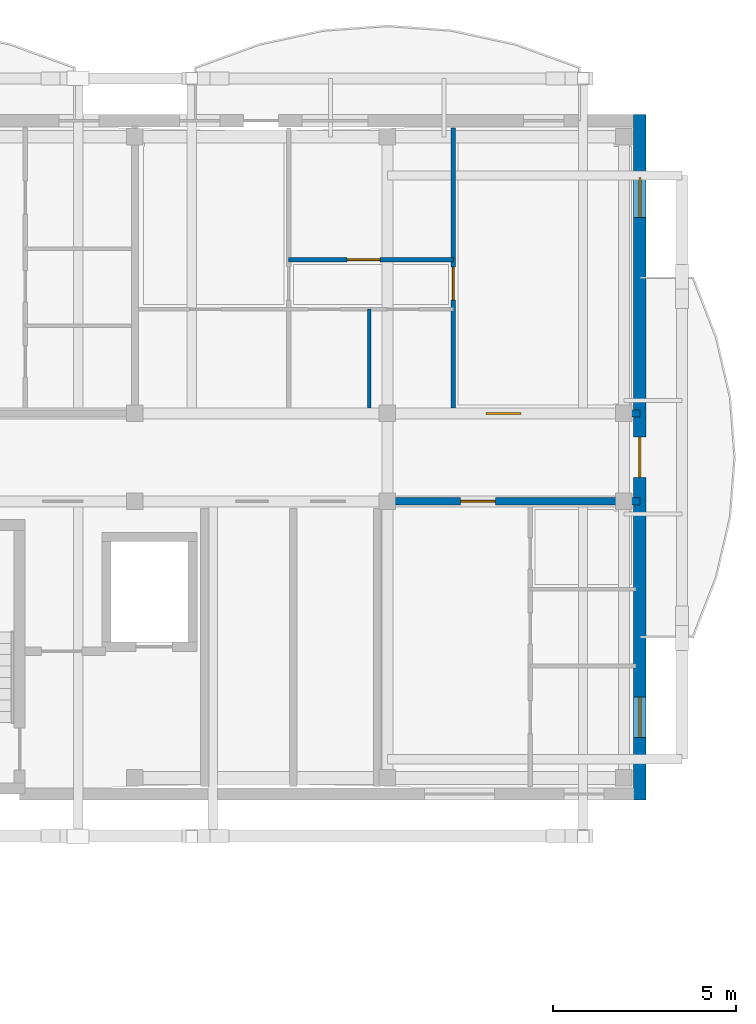
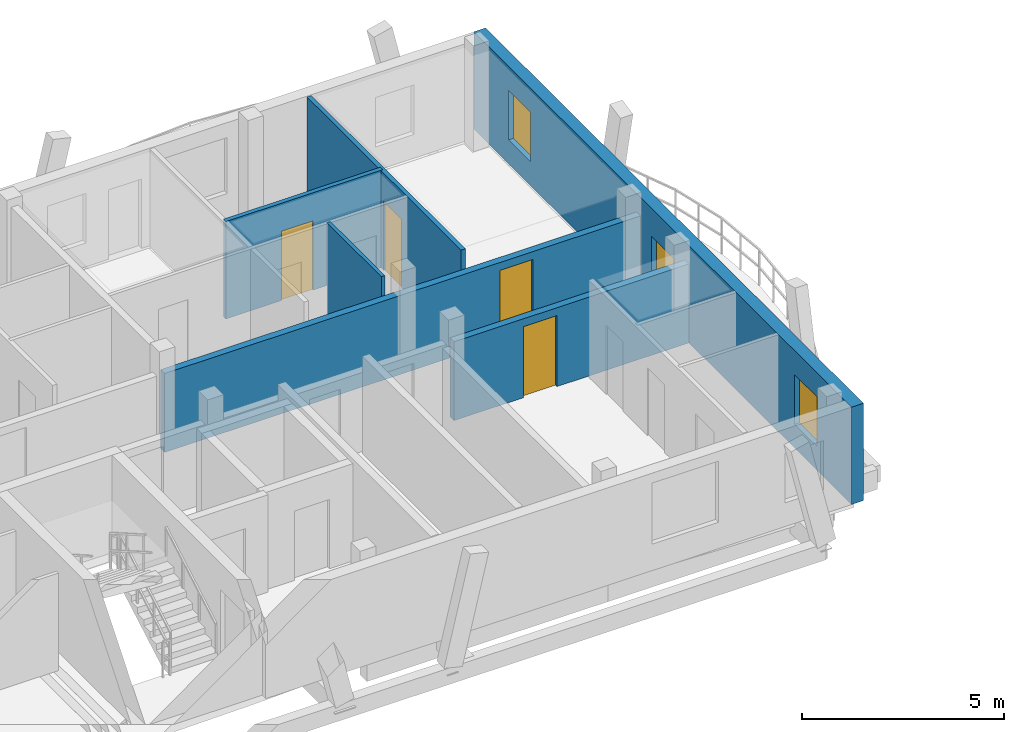
# One storey, part 31 of 42: 6 walls, 5 doors, 2 windows, 7 openings.
"""IFC4 building model written with IfcOpenShell, lengths in metres."""

import ifcopenshell
import ifcopenshell.guid

model = None  # the IFC model being written
_history = None  # IfcOwnerHistory: only IFC2X3 demands one
_inside = {}  # id of a spatial element -> (the spatial element, [elements in it])
_under = {}  # id of a project, library or spatial element -> (it, [spatial elements below it])
_declared = {}  # id of a project -> (the project, [libraries it declares])
_typed = {}  # id of a type object -> (the type object, [elements of that type])
_made_of = {}  # id of a material, layer set ... -> (it, [elements and type objects made of it])


def new_model(schema):
    """Start an empty IFC model of exactly this schema.

    Asked for "IFC4X3", IfcOpenShell would pick the latest addendum, in which some entities
    have other attributes; the version numbers below select the first issue.
    IFC2X3 requires an IfcOwnerHistory on every rooted entity: one is made here for all.
    """
    global model, _history
    if schema == "IFC4X3":
        model = ifcopenshell.file(schema_version=(4, 3, 0, 0))
    else:
        model = ifcopenshell.file(schema=schema)
    _inside.clear()
    _under.clear()
    _declared.clear()
    _typed.clear()
    _made_of.clear()
    _history = None
    if model.schema == "IFC2X3":
        org = make("IfcOrganization", Name="unknown")
        user = make(
            "IfcPersonAndOrganization",
            ThePerson=make("IfcPerson", FamilyName="unknown"),
            TheOrganization=org,
        )
        app = make(
            "IfcApplication",
            ApplicationDeveloper=org,
            Version="unknown",
            ApplicationFullName="unknown",
            ApplicationIdentifier="unknown",
        )
        _history = make(
            "IfcOwnerHistory",
            OwningUser=user,
            OwningApplication=app,
            ChangeAction="ADDED",
            CreationDate=0,
        )
    return model


def make(cls, **values):
    """One entity of the class cls with the attributes given. An attribute that is None is left unset."""
    return model.create_entity(
        cls, **{name: value for name, value in values.items() if value is not None}
    )


def rooted(cls, **values):
    """An entity with a GlobalId (a new one), such as an element, a storey or a relation."""
    return make(cls, GlobalId=ifcopenshell.guid.new(), OwnerHistory=_history, **values)


def si_unit(unit_type, name, prefix=None):
    """IfcSIUnit, for example si_unit("LENGTHUNIT", "METRE", prefix="MILLI")."""
    return make("IfcSIUnit", UnitType=unit_type, Prefix=prefix, Name=name)


def assignment(units):
    """IfcUnitAssignment: the units of a project."""
    return None if units is None else make("IfcUnitAssignment", Units=units)


def point(xyz):
    """IfcCartesianPoint."""
    return None if xyz is None else make("IfcCartesianPoint", Coordinates=xyz)


def direction(xyz):
    """IfcDirection."""
    return None if xyz is None else make("IfcDirection", DirectionRatios=xyz)


def frame(location, z_axis=None, x_axis=None):
    """IfcAxis2Placement3D, a coordinate frame: its origin and axes. An axis left out is left unset."""
    return make(
        "IfcAxis2Placement3D",
        Location=point(location),
        Axis=direction(z_axis),
        RefDirection=direction(x_axis),
    )


def frame_2d(location, x_axis=None):
    """IfcAxis2Placement2D, a coordinate frame in the plane: its origin and x axis."""
    return make(
        "IfcAxis2Placement2D", Location=point(location), RefDirection=direction(x_axis)
    )


def origin():
    """The frame at (0, 0, 0) with its axes left unset."""
    return frame((0.0, 0.0, 0.0))


def origin_with_axes():
    """The frame at (0, 0, 0) with the z axis (0, 0, 1) and the x axis (1, 0, 0) written out."""
    return frame((0.0, 0.0, 0.0), z_axis=(0.0, 0.0, 1.0), x_axis=(1.0, 0.0, 0.0))


def place(relative_to, where):
    """IfcLocalPlacement: puts the frame where relative to a parent placement (None: the world)."""
    return make(
        "IfcLocalPlacement", PlacementRelTo=relative_to, RelativePlacement=where
    )


def context(
    kind, dimensions, precision=None, world=None, true_north=None, identifier=None
):
    """IfcGeometricRepresentationContext, for example the 3D "Model" context."""
    return make(
        "IfcGeometricRepresentationContext",
        ContextIdentifier=identifier,
        ContextType=kind,
        CoordinateSpaceDimension=dimensions,
        Precision=precision,
        WorldCoordinateSystem=world,
        TrueNorth=true_north,
    )


def subcontext(parent, identifier, kind, view, scale=None):
    """IfcGeometricRepresentationSubContext, for example "Body" below "Model"."""
    return make(
        "IfcGeometricRepresentationSubContext",
        ContextIdentifier=identifier,
        ContextType=kind,
        ParentContext=parent,
        TargetScale=scale,
        TargetView=view,
    )


def project(units=None, contexts=None):
    """IfcProject with its units and contexts."""
    return rooted(
        "IfcProject",
        Name="project",
        RepresentationContexts=contexts,
        UnitsInContext=assignment(units),
    )


def spatial(cls, under=None, at=None, **own):
    """A site, building, storey or space (cls), placed at a placement, below another one or the project."""
    s = rooted(cls, ObjectPlacement=at, **own)
    if under is not None:
        _under.setdefault(under.id(), (under, []))[1].append(s)
    return s


def profile(cls, at=None, kind="AREA", **sizes):
    """A parametric profile (cls). Its sizes go by their IFC names, for example OverallWidth=200.0."""
    return make(cls, ProfileType=kind, Position=at, **sizes)


def rectangle(**sizes):
    """IfcRectangleProfileDef."""
    return profile("IfcRectangleProfileDef", **sizes)


def extrude(swept, where, along, depth):
    """IfcExtrudedAreaSolid: the profile swept, set in the frame where, extruded along a direction by depth."""
    return make(
        "IfcExtrudedAreaSolid",
        SweptArea=swept,
        Position=where,
        ExtrudedDirection=direction(along),
        Depth=depth,
    )


def shape(context_of_items, identifier, shape_type, items):
    """IfcShapeRepresentation: the items that make up one representation, for example the "Body"."""
    return make(
        "IfcShapeRepresentation",
        ContextOfItems=context_of_items,
        RepresentationIdentifier=identifier,
        RepresentationType=shape_type,
        Items=items,
    )


def material(Name=None, Category=None):
    """IfcMaterial."""
    return make("IfcMaterial", Name=Name, Category=Category)


def layer(
    of_material, thickness, ventilated=None, Name=None, Category=None, Priority=None
):
    """IfcMaterialLayer: one layer of a wall or slab, of a material (None: an air gap)."""
    return make(
        "IfcMaterialLayer",
        Material=of_material,
        LayerThickness=thickness,
        IsVentilated=ventilated,
        Name=Name,
        Category=Category,
        Priority=Priority,
    )


def layer_set(layers, Name=None):
    """IfcMaterialLayerSet."""
    return make("IfcMaterialLayerSet", MaterialLayers=layers, LayerSetName=Name)


def made_of(thing, what):
    """Note that an element or type object is made of a material, layer set ...; save() writes the relation."""
    if what is not None:
        _made_of.setdefault(what.id(), (what, []))[1].append(thing)
    return thing


def type_object(cls, material=None, **own):
    """A type object (cls), such as IfcWallType, which elements share."""
    return made_of(rooted(cls, **own), material)


def element(
    cls,
    number,
    at=None,
    inside=None,
    cuts=None,
    type_object=None,
    material=None,
    context=None,
    identifier="Body",
    shape_type=None,
    held_by="IfcProductDefinitionShape",
    body=None,
    shapes=None,
    **own,
):
    """One element of the class cls, such as IfcWall. Its Tag is "e" and its number.

    at: its placement. inside: the storey or other place that contains it. cuts: it is an
    opening in that element (IfcRelVoidsElement). A single representation is given by context,
    identifier, shape_type and body (its items); several are given by shapes. held_by: the class
    of the entity that holds the representations. save() writes the other relations.
    """
    e = rooted(cls, Tag="e%d" % number, ObjectPlacement=at, **own)
    if body is not None:
        shapes = [shape(context, identifier, shape_type, body)]
    if shapes is not None:
        e.Representation = make(held_by, Representations=shapes)
    if inside is not None:
        _inside.setdefault(inside.id(), (inside, []))[1].append(e)
    if cuts is not None:
        rooted(
            "IfcRelVoidsElement", RelatingBuildingElement=cuts, RelatedOpeningElement=e
        )
    if type_object is not None:
        _typed.setdefault(type_object.id(), (type_object, []))[1].append(e)
    return made_of(e, material)


def fill(opening, filler):
    """IfcRelFillsElement: the door or window that sits in an opening."""
    return rooted(
        "IfcRelFillsElement",
        RelatingOpeningElement=opening,
        RelatedBuildingElement=filler,
    )


def aggregate(whole, parts):
    """IfcRelAggregates: a whole, such as a stair, and the parts it consists of."""
    return rooted("IfcRelAggregates", RelatingObject=whole, RelatedObjects=parts)


def save(model, path):
    """Write the relations noted so far, then the file.

    IfcRelAggregates (storeys below a building ...), IfcRelContainedInSpatialStructure (elements
    in a storey), IfcRelDefinesByType, IfcRelAssociatesMaterial and IfcRelDeclares: one each for
    every whole, place, type object, material and project.
    """
    for whole, parts in _under.values():
        aggregate(whole, parts)
    for where, things in _inside.values():
        rooted(
            "IfcRelContainedInSpatialStructure",
            RelatedElements=things,
            RelatingStructure=where,
        )
    for kind, things in _typed.values():
        rooted("IfcRelDefinesByType", RelatedObjects=things, RelatingType=kind)
    for what, things in _made_of.values():
        rooted("IfcRelAssociatesMaterial", RelatedObjects=things, RelatingMaterial=what)
    for by, libraries in _declared.values():
        rooted("IfcRelDeclares", RelatingContext=by, RelatedDefinitions=libraries)
    model.write(path)


model = new_model("IFC4")

# Units and contexts
model_context = context("Model", 3, precision=1e-05, world=origin(), true_north=direction((0.0, 1.0)))
body_context = subcontext(model_context, "Body", "Model", "MODEL_VIEW")
ifc_project = project(units=[si_unit("LENGTHUNIT", "METRE"), si_unit("AREAUNIT", "SQUARE_METRE"), si_unit("VOLUMEUNIT", "CUBIC_METRE"), si_unit("PLANEANGLEUNIT", "RADIAN"), si_unit("MASSUNIT", "GRAM", prefix="KILO")], contexts=[model_context])

# Site, building, storey
site_placement = place(None, origin())
site = spatial("IfcSite", under=ifc_project, at=site_placement, CompositionType="ELEMENT")
building_placement = place(site_placement, origin())
building = spatial("IfcBuilding", under=site, at=building_placement, Name="Zavelmont Quarter", CompositionType="ELEMENT")
storey_placement = place(building_placement, frame((0.0, 0.0, 24.0)))
storey = spatial("IfcBuildingStorey", under=building, at=storey_placement, Name="L07", CompositionType="ELEMENT", Elevation=24.0)

# Wall, openings, door, windows
ifc_material_1 = material(Name="Natural Belgian limestone", Category="masonry")
ifc_layer_1 = layer(ifc_material_1, 0.340087890625)
ifc_layer_set_1 = layer_set([ifc_layer_1], Name="Natural Belgian limestone")
wall_type_1 = type_object("IfcWallType", Name="EW03", PredefinedType="STANDARD", material=ifc_layer_set_1)
wall_1_placement = place(storey_placement, frame((168.0, 97.429931640625, 0.0), z_axis=(0.0, 0.0, 1.0), x_axis=(0.0, 1.0, 0.0)))
wall_1 = element("IfcWall", 1, at=wall_1_placement, inside=storey, type_object=wall_type_1, Name="L07 exterior limestone wall EW03", PredefinedType="STANDARD", context=body_context, shape_type="SweptSolid", body=[
    extrude(rectangle(XDim=18.739990234375, YDim=0.340087890625, at=frame_2d((9.3701171875, 0.0))), origin(), (0.0, 0.0, 1.0), 2.949951171875),
])
opening_1_placement = place(wall_1_placement, frame((8.820068359375, 0.0, 0.0)))
opening_1 = element("IfcOpeningElement", 2, at=opening_1_placement, cuts=wall_1, Name="Opening DR04B", PredefinedType="OPENING", context=body_context, shape_type="SweptSolid", body=[
    extrude(rectangle(XDim=1.10009765625, YDim=2.10009765625, at=frame_2d((0.550048828125, 1.050048828125))), frame((0.0, 0.18212890625, 0.0), z_axis=(0.0, -1.0, 0.0), x_axis=(1.0, 0.0, 0.0)), (0.0, 0.0, 1.0), 0.364013671875),
])
opening_2_placement = place(wall_1_placement, frame((1.719970703125, 0.0, 0.719970703125)))
opening_2 = element("IfcOpeningElement", 3, at=opening_2_placement, cuts=wall_1, Name="Opening WN09", PredefinedType="OPENING", context=body_context, shape_type="SweptSolid", body=[
    extrude(rectangle(XDim=1.10009765625, YDim=1.5, at=frame_2d((0.550048828125, 0.75))), frame((0.0, 0.18212890625, 0.0), z_axis=(0.0, -1.0, 0.0), x_axis=(1.0, 0.0, 0.0)), (0.0, 0.0, 1.0), 0.364013671875),
])
opening_3_placement = place(wall_1_placement, frame((15.919921875, 0.0, 0.719970703125)))
opening_3 = element("IfcOpeningElement", 4, at=opening_3_placement, cuts=wall_1, Name="Opening WN09", PredefinedType="OPENING", context=body_context, shape_type="SweptSolid", body=[
    extrude(rectangle(XDim=1.10009765625, YDim=1.5, at=frame_2d((0.550048828125, 0.75))), frame((0.0, 0.18212890625, 0.0), z_axis=(0.0, -1.0, 0.0), x_axis=(1.0, 0.0, 0.0)), (0.0, 0.0, 1.0), 0.364013671875),
])
ifc_material_2 = material(Name="Thermally broken aluminium and double safety glass", Category="aluminium")
door_type_1 = type_object("IfcDoorType", Name="DR04B", OperationType="NOTDEFINED", PredefinedType="DOOR", material=ifc_material_2)
door_1_placement = place(opening_1_placement, origin_with_axes())
door_1 = element("IfcDoor", 5, at=door_1_placement, inside=storey, type_object=door_type_1, Name="Block C L07 terrace or vase balcony door", OperationType="SINGLE_SWING_RIGHT", OverallHeight=2.10009765625, OverallWidth=1.10009765625, PredefinedType="DOOR", context=body_context, shape_type="SweptSolid", body=[
    extrude(rectangle(XDim=1.10009765625, YDim=2.10009765625, at=frame_2d((0.550048828125, 1.050048828125))), frame((0.0, 0.02490234375, 0.0), z_axis=(0.0, -1.0, 0.0), x_axis=(1.0, 0.0, 0.0)), (0.0, 0.0, 1.0), 0.050048828125),
])
fill(opening_1, door_1)
ifc_material_3 = material(Name="Double low-E insulated glazing in thermally broken aluminium frame", Category="aluminium")
window_type = type_object("IfcWindowType", Name="WN09", PartitioningType="SINGLE_PANEL", PredefinedType="WINDOW", material=ifc_material_3)
window_1_placement = place(opening_2_placement, origin_with_axes())
window_1 = element("IfcWindow", 6, at=window_1_placement, inside=storey, type_object=window_type, Name="L07 window WN09", OverallHeight=1.5, OverallWidth=1.10009765625, PartitioningType="SINGLE_PANEL", PredefinedType="WINDOW", context=body_context, shape_type="SweptSolid", body=[
    extrude(rectangle(XDim=1.10009765625, YDim=1.5, at=frame_2d((0.550048828125, 0.75))), frame((0.0, 0.030029296875, 0.0), z_axis=(0.0, -1.0, 0.0), x_axis=(1.0, 0.0, 0.0)), (0.0, 0.0, 1.0), 0.06005859375),
])
fill(opening_2, window_1)
window_2_placement = place(opening_3_placement, origin_with_axes())
window_2 = element("IfcWindow", 7, at=window_2_placement, inside=storey, type_object=window_type, Name="L07 window WN09", OverallHeight=1.5, OverallWidth=1.10009765625, PartitioningType="SINGLE_PANEL", PredefinedType="WINDOW", context=body_context, shape_type="SweptSolid", body=[
    extrude(rectangle(XDim=1.10009765625, YDim=1.5, at=frame_2d((0.550048828125, 0.75))), frame((0.0, 0.030029296875, 0.0), z_axis=(0.0, -1.0, 0.0), x_axis=(1.0, 0.0, 0.0)), (0.0, 0.0, 1.0), 0.06005859375),
])
fill(opening_3, window_2)

# Wall, opening, door
ifc_material_4 = material(Name="Calcium-silicate blockwork and acoustic plaster", Category="masonry")
ifc_layer_2 = layer(ifc_material_4, 0.199951171875)
ifc_layer_set_2 = layer_set([ifc_layer_2], Name="Calcium-silicate blockwork and acoustic plaster")
wall_type_2 = type_object("IfcWallType", Name="IW01", PredefinedType="PARTITIONING", material=ifc_layer_set_2)
wall_2_placement = place(storey_placement, frame((154.199951171875, 108.0, 0.0), z_axis=(0.0, 0.0, 1.0), x_axis=(1.0, 0.0, 0.0)))
wall_2 = element("IfcWall", 8, at=wall_2_placement, inside=storey, type_object=wall_type_2, Name="L07 Corridor compartment wall IW01", PredefinedType="PARTITIONING", context=body_context, shape_type="SweptSolid", body=[
    extrude(rectangle(XDim=13.800048828125, YDim=0.199951171875, at=frame_2d((6.89990234375, 0.0))), origin(), (0.0, 0.0, 1.0), 2.389892578125),
])
opening_4_placement = place(wall_2_placement, frame((9.60009765625, 0.0, 0.0)))
opening_4 = element("IfcOpeningElement", 9, at=opening_4_placement, cuts=wall_2, Name="Opening DR02", PredefinedType="OPENING", context=body_context, shape_type="SweptSolid", body=[
    extrude(rectangle(XDim=0.949951171875, YDim=2.14990234375, at=frame_2d((0.47509765625, 1.074951171875))), frame((0.0, 0.11181640625, 0.0), z_axis=(0.0, -1.0, 0.0), x_axis=(1.0, 0.0, 0.0)), (0.0, 0.0, 1.0), 0.223876953125),
])
ifc_material_5 = material(Name="Solid-core oak fire leaf in steel frame", Category="steel")
door_type_2 = type_object("IfcDoorType", Name="DR02", OperationType="NOTDEFINED", PredefinedType="DOOR", material=ifc_material_5)
door_2_placement = place(opening_4_placement, origin_with_axes())
door_2 = element("IfcDoor", 10, at=door_2_placement, inside=storey, type_object=door_type_2, Name="L07 door DR02", OperationType="SINGLE_SWING_LEFT", OverallHeight=2.14990234375, OverallWidth=0.949951171875, PredefinedType="DOOR", context=body_context, shape_type="SweptSolid", body=[
    extrude(rectangle(XDim=0.949951171875, YDim=2.14990234375, at=frame_2d((0.47509765625, 1.074951171875))), frame((0.0, 0.02490234375, 0.0), z_axis=(0.0, -1.0, 0.0), x_axis=(1.0, 0.0, 0.0)), (0.0, 0.0, 1.0), 0.050048828125),
])
fill(opening_4, door_2)

wall_3_placement = place(storey_placement, frame((161.10009765625, 105.60009765625, 0.0), z_axis=(0.0, 0.0, 1.0), x_axis=(1.0, 0.0, 0.0)))
wall_3 = element("IfcWall", 11, at=wall_3_placement, inside=storey, type_object=wall_type_2, Name="L07 Corridor compartment wall IW01", PredefinedType="PARTITIONING", context=body_context, shape_type="SweptSolid", body=[
    extrude(rectangle(XDim=6.89990234375, YDim=0.199951171875, at=frame_2d((3.449951171875, 0.0))), origin(), (0.0, 0.0, 1.0), 2.389892578125),
])
opening_5_placement = place(wall_3_placement, frame((2.0, 0.0, 0.0)))
opening_5 = element("IfcOpeningElement", 12, at=opening_5_placement, cuts=wall_3, Name="Opening DR02", PredefinedType="OPENING", context=body_context, shape_type="SweptSolid", body=[
    extrude(rectangle(XDim=0.949951171875, YDim=2.14990234375, at=frame_2d((0.47509765625, 1.074951171875))), frame((0.0, 0.11181640625, 0.0), z_axis=(0.0, -1.0, 0.0), x_axis=(1.0, 0.0, 0.0)), (0.0, 0.0, 1.0), 0.223876953125),
])
door_3_placement = place(opening_5_placement, frame((0.949951171875, 0.0, 0.0), z_axis=(0.0, 0.0, 1.0), x_axis=(-1.0, 0.0, 0.0)))
door_3 = element("IfcDoor", 13, at=door_3_placement, inside=storey, type_object=door_type_2, Name="L07 door DR02", OperationType="SINGLE_SWING_RIGHT", OverallHeight=2.14990234375, OverallWidth=0.949951171875, PredefinedType="DOOR", context=body_context, shape_type="SweptSolid", body=[
    extrude(rectangle(XDim=0.949951171875, YDim=2.14990234375, at=frame_2d((0.47509765625, 1.074951171875))), frame((0.0, 0.02490234375, 0.0), z_axis=(0.0, -1.0, 0.0), x_axis=(1.0, 0.0, 0.0)), (0.0, 0.0, 1.0), 0.050048828125),
])
fill(opening_5, door_3)

ifc_material_6 = material(Name="Double gypsum board on acoustic steel stud", Category="steel")
ifc_layer_3 = layer(ifc_material_6, 0.125)
ifc_layer_set_3 = layer_set([ifc_layer_3], Name="Double gypsum board on acoustic steel stud")
wall_type_3 = type_object("IfcWallType", Name="IW03", PredefinedType="PARTITIONING", material=ifc_layer_set_3)
wall_4_placement = place(storey_placement, frame((162.89990234375, 108.14990234375, 0.0), z_axis=(0.0, 0.0, 1.0), x_axis=(0.0, 1.0, 0.0)))
wall_4 = element("IfcWall", 14, at=wall_4_placement, inside=storey, type_object=wall_type_3, Name="L07 Partition IW03", PredefinedType="PARTITIONING", context=body_context, shape_type="SweptSolid", body=[
    extrude(rectangle(XDim=7.650146484375, YDim=0.125, at=frame_2d((3.8251953125, 0.0))), origin(), (0.0, 0.0, 1.0), 2.949951171875),
])
opening_6_placement = place(wall_4_placement, frame((2.949951171875, 0.0, 0.0)))
opening_6 = element("IfcOpeningElement", 15, at=opening_6_placement, cuts=wall_4, Name="Opening DR05", PredefinedType="OPENING", context=body_context, shape_type="SweptSolid", body=[
    extrude(rectangle(XDim=0.89990234375, YDim=2.10009765625, at=frame_2d((0.449951171875, 1.050048828125))), frame((0.0, 0.074462890625, 0.0), z_axis=(0.0, -1.0, 0.0), x_axis=(1.0, 0.0, 0.0)), (0.0, 0.0, 1.0), 0.14892578125),
])
ifc_material_7 = material(Name="Engineered oak flush interior door")
door_type_3 = type_object("IfcDoorType", Name="DR05", OperationType="NOTDEFINED", PredefinedType="DOOR", material=ifc_material_7)
door_4_placement = place(opening_6_placement, origin_with_axes())
door_4 = element("IfcDoor", 16, at=door_4_placement, inside=storey, type_object=door_type_3, Name="L07 door DR05", OperationType="SINGLE_SWING_LEFT", OverallHeight=2.10009765625, OverallWidth=0.89990234375, PredefinedType="DOOR", context=body_context, shape_type="SweptSolid", body=[
    extrude(rectangle(XDim=0.89990234375, YDim=2.10009765625, at=frame_2d((0.449951171875, 1.050048828125))), frame((0.0, 0.02490234375, 0.0), z_axis=(0.0, -1.0, 0.0), x_axis=(1.0, 0.0, 0.0)), (0.0, 0.0, 1.0), 0.050048828125),
])
fill(opening_6, door_4)

wall_5_placement = place(storey_placement, frame((158.39990234375, 112.199951171875, 0.0), z_axis=(0.0, 0.0, 1.0), x_axis=(1.0, 0.0, 0.0)))
wall_5 = element("IfcWall", 17, at=wall_5_placement, inside=storey, type_object=wall_type_3, Name="L07 Partition IW03", PredefinedType="PARTITIONING", context=body_context, shape_type="SweptSolid", body=[
    extrude(rectangle(XDim=4.5, YDim=0.125, at=frame_2d((2.25, 0.0))), origin(), (0.0, 0.0, 1.0), 2.949951171875),
])
opening_7_placement = place(wall_5_placement, frame((1.60009765625, 0.0, 0.0)))
opening_7 = element("IfcOpeningElement", 18, at=opening_7_placement, cuts=wall_5, Name="Opening DR05", PredefinedType="OPENING", context=body_context, shape_type="SweptSolid", body=[
    extrude(rectangle(XDim=0.89990234375, YDim=2.10009765625, at=frame_2d((0.449951171875, 1.050048828125))), frame((0.0, 0.074462890625, 0.0), z_axis=(0.0, -1.0, 0.0), x_axis=(1.0, 0.0, 0.0)), (0.0, 0.0, 1.0), 0.14892578125),
])
door_5_placement = place(opening_7_placement, frame((0.89990234375, 0.0, 0.0), z_axis=(0.0, 0.0, 1.0), x_axis=(-1.0, 0.0, 0.0)))
door_5 = element("IfcDoor", 19, at=door_5_placement, inside=storey, type_object=door_type_3, Name="L07 door DR05", OperationType="SINGLE_SWING_RIGHT", OverallHeight=2.10009765625, OverallWidth=0.89990234375, PredefinedType="DOOR", context=body_context, shape_type="SweptSolid", body=[
    extrude(rectangle(XDim=0.89990234375, YDim=2.10009765625, at=frame_2d((0.449951171875, 1.050048828125))), frame((0.0, 0.02490234375, 0.0), z_axis=(0.0, -1.0, 0.0), x_axis=(1.0, 0.0, 0.0)), (0.0, 0.0, 1.0), 0.050048828125),
])
fill(opening_7, door_5)

# Wall
ifc_material_8 = material(Name="Moisture-resistant gypsum board on steel stud", Category="steel")
ifc_layer_4 = layer(ifc_material_8, 0.10009765625)
ifc_layer_set_4 = layer_set([ifc_layer_4], Name="Moisture-resistant gypsum board on steel stud")
wall_type_4 = type_object("IfcWallType", Name="IW04", PredefinedType="PARTITIONING", material=ifc_layer_set_4)
wall_6_placement = place(storey_placement, frame((160.60009765625, 108.14990234375, 0.0), z_axis=(0.0, 0.0, 1.0), x_axis=(0.0, 1.0, 0.0)))
element("IfcWall", 20, at=wall_6_placement, inside=storey, type_object=wall_type_4, Name="L07 Partition IW04", PredefinedType="PARTITIONING", context=body_context, shape_type="SweptSolid", body=[
    extrude(rectangle(XDim=2.7001953125, YDim=0.10009765625, at=frame_2d((1.35009765625, 0.0))), origin(), (0.0, 0.0, 1.0), 2.949951171875),
])

save(model, "model.ifc")
